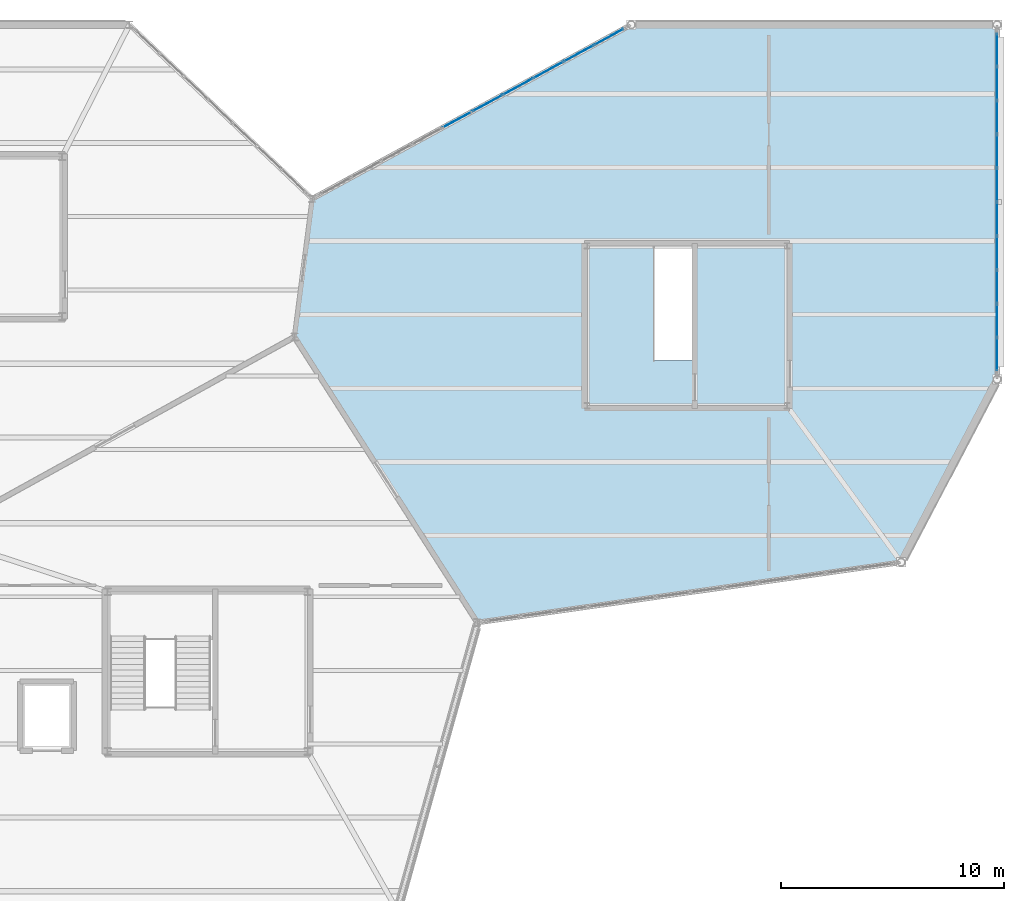
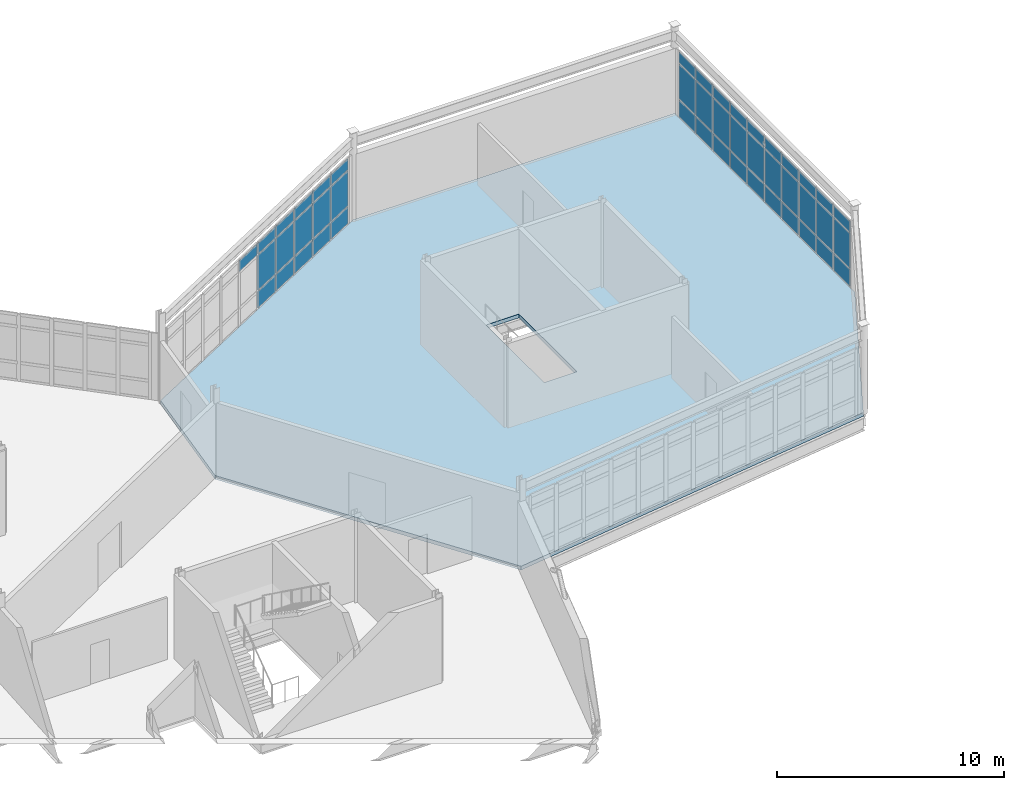
# One storey, part 83 of 114: 46 plates, 1 slab, 2 elements without a shape of their own.
"""IFC4 building model written with IfcOpenShell, lengths in metres."""

from ifc_helpers import new_model, si_unit, direction, frame, origin, origin_2d, place, context, subcontext, project, spatial, polyline, rectangle, outline, extrude, material, layer, layer_set, type_object, element, aggregate, save


model = new_model("IFC4")

# Units and contexts
model_context = context("Model", 3, precision=1e-05, world=origin(), true_north=direction((0.0, 1.0)))
body_context = subcontext(model_context, "Body", "Model", "MODEL_VIEW")
ifc_project = project(units=[si_unit("LENGTHUNIT", "METRE"), si_unit("AREAUNIT", "SQUARE_METRE"), si_unit("VOLUMEUNIT", "CUBIC_METRE"), si_unit("PLANEANGLEUNIT", "RADIAN"), si_unit("MASSUNIT", "GRAM", prefix="KILO")], contexts=[model_context])

# Site, building, storey
site_placement = place(None, origin())
site = spatial("IfcSite", under=ifc_project, at=site_placement, CompositionType="ELEMENT")
building_placement = place(site_placement, origin())
building = spatial("IfcBuilding", under=site, at=building_placement, Name="Tameran Prism Museum", CompositionType="ELEMENT")
storey_placement = place(building_placement, frame((0.0, 0.0, 10.199951171875)))
storey = spatial("IfcBuildingStorey", under=building, at=storey_placement, Name="L02", CompositionType="ELEMENT", Elevation=10.199951171875)

# Curtain wall, plates
ifc_material_1 = material(Name="Anodised Aluminium 6063-T6 and Cyclone Solar Glass", Category="aluminium")
curtain_wall_type_1 = type_object("IfcCurtainWallType", Name="CW-FAC-1520x362", PredefinedType="USERDEFINED", material=ifc_material_1)
curtain_wall_1_placement = place(storey_placement, origin())
curtain_wall_1 = element("IfcCurtainWall", 1, at=curtain_wall_1_placement, inside=storey, type_object=curtain_wall_type_1, Name="Unitised Curtain Wall CW-103", ObjectType="UNITISED CURTAIN WALL", PredefinedType="USERDEFINED")
ifc_material_2 = material(Name="Low-E Laminated Solar Glass", Category="glass")
ifc_layer_1 = layer(ifc_material_2, 0.028076171875)
ifc_layer_set_1 = layer_set([ifc_layer_1])
plate_type_1 = type_object("IfcPlateType", Name="CW-PNL-G28", PredefinedType="CURTAIN_PANEL", material=ifc_layer_set_1)
plate_1_placement = place(storey_placement, frame((166.39990234375, 110.873779296875, 0.06494140625), z_axis=(0.0, 0.0, 1.0), x_axis=(0.0, -1.0, 0.0)))
plate_1 = element("IfcPlate", 2, at=plate_1_placement, type_object=plate_type_1, Name="CW-103 panel 1.1", PredefinedType="CURTAIN_PANEL", context=body_context, shape_type="SweptSolid", body=[
    extrude(rectangle(XDim=1.422607421875, YDim=0.028076171875, at=origin_2d()), origin(), (0.0, 0.0, 1.0), 0.902587890625),
])
plate_2_placement = place(storey_placement, frame((166.39990234375, 110.873779296875, 1.032470703125), z_axis=(0.0, 0.0, 1.0), x_axis=(0.0, -1.0, 0.0)))
plate_2 = element("IfcPlate", 3, at=plate_2_placement, type_object=plate_type_1, Name="CW-103 panel 1.2", PredefinedType="CURTAIN_PANEL", context=body_context, shape_type="SweptSolid", body=[
    extrude(rectangle(XDim=1.422607421875, YDim=0.028076171875, at=origin_2d()), origin(), (0.0, 0.0, 1.0), 1.875),
])
plate_3_placement = place(storey_placement, frame((166.39990234375, 110.873779296875, 2.97265625), z_axis=(0.0, 0.0, 1.0), x_axis=(0.0, -1.0, 0.0)))
plate_3 = element("IfcPlate", 4, at=plate_3_placement, type_object=plate_type_1, Name="CW-103 panel 1.3", PredefinedType="CURTAIN_PANEL", context=body_context, shape_type="SweptSolid", body=[
    extrude(rectangle(XDim=1.422607421875, YDim=0.028076171875, at=origin_2d()), origin(), (0.0, 0.0, 1.0), 0.58251953125),
])
plate_4_placement = place(storey_placement, frame((166.39990234375, 109.3701171875, 0.06494140625), z_axis=(0.0, 0.0, 1.0), x_axis=(0.0, -1.0, 0.0)))
plate_4 = element("IfcPlate", 5, at=plate_4_placement, type_object=plate_type_1, Name="CW-103 panel 2.1", PredefinedType="CURTAIN_PANEL", context=body_context, shape_type="SweptSolid", body=[
    extrude(rectangle(XDim=1.455078125, YDim=0.028076171875, at=origin_2d()), origin(), (0.0, 0.0, 1.0), 0.902587890625),
])
plate_5_placement = place(storey_placement, frame((166.39990234375, 109.3701171875, 1.032470703125), z_axis=(0.0, 0.0, 1.0), x_axis=(0.0, -1.0, 0.0)))
plate_5 = element("IfcPlate", 6, at=plate_5_placement, type_object=plate_type_1, Name="CW-103 panel 2.2", PredefinedType="CURTAIN_PANEL", context=body_context, shape_type="SweptSolid", body=[
    extrude(rectangle(XDim=1.455078125, YDim=0.028076171875, at=origin_2d()), origin(), (0.0, 0.0, 1.0), 1.875),
])
plate_6_placement = place(storey_placement, frame((166.39990234375, 109.3701171875, 2.97265625), z_axis=(0.0, 0.0, 1.0), x_axis=(0.0, -1.0, 0.0)))
plate_6 = element("IfcPlate", 7, at=plate_6_placement, type_object=plate_type_1, Name="CW-103 panel 2.3", PredefinedType="CURTAIN_PANEL", context=body_context, shape_type="SweptSolid", body=[
    extrude(rectangle(XDim=1.455078125, YDim=0.028076171875, at=origin_2d()), origin(), (0.0, 0.0, 1.0), 0.58251953125),
])
plate_7_placement = place(storey_placement, frame((166.39990234375, 107.85009765625, 0.06494140625), z_axis=(0.0, 0.0, 1.0), x_axis=(0.0, -1.0, 0.0)))
plate_7 = element("IfcPlate", 8, at=plate_7_placement, type_object=plate_type_1, Name="CW-103 panel 3.1", PredefinedType="CURTAIN_PANEL", context=body_context, shape_type="SweptSolid", body=[
    extrude(rectangle(XDim=1.455078125, YDim=0.028076171875, at=origin_2d()), origin(), (0.0, 0.0, 1.0), 0.902587890625),
])
plate_8_placement = place(storey_placement, frame((166.39990234375, 107.85009765625, 1.032470703125), z_axis=(0.0, 0.0, 1.0), x_axis=(0.0, -1.0, 0.0)))
plate_8 = element("IfcPlate", 9, at=plate_8_placement, type_object=plate_type_1, Name="CW-103 panel 3.2", PredefinedType="CURTAIN_PANEL", context=body_context, shape_type="SweptSolid", body=[
    extrude(rectangle(XDim=1.455078125, YDim=0.028076171875, at=origin_2d()), origin(), (0.0, 0.0, 1.0), 1.875),
])
plate_9_placement = place(storey_placement, frame((166.39990234375, 107.85009765625, 2.97265625), z_axis=(0.0, 0.0, 1.0), x_axis=(0.0, -1.0, 0.0)))
plate_9 = element("IfcPlate", 10, at=plate_9_placement, type_object=plate_type_1, Name="CW-103 panel 3.3", PredefinedType="CURTAIN_PANEL", context=body_context, shape_type="SweptSolid", body=[
    extrude(rectangle(XDim=1.455078125, YDim=0.028076171875, at=origin_2d()), origin(), (0.0, 0.0, 1.0), 0.58251953125),
])
plate_10_placement = place(storey_placement, frame((166.39990234375, 106.330078125, 0.06494140625), z_axis=(0.0, 0.0, 1.0), x_axis=(0.0, -1.0, 0.0)))
plate_10 = element("IfcPlate", 11, at=plate_10_placement, type_object=plate_type_1, Name="CW-103 panel 4.1", PredefinedType="CURTAIN_PANEL", context=body_context, shape_type="SweptSolid", body=[
    extrude(rectangle(XDim=1.455078125, YDim=0.028076171875, at=origin_2d()), origin(), (0.0, 0.0, 1.0), 0.902587890625),
])
plate_11_placement = place(storey_placement, frame((166.39990234375, 106.330078125, 1.032470703125), z_axis=(0.0, 0.0, 1.0), x_axis=(0.0, -1.0, 0.0)))
plate_11 = element("IfcPlate", 12, at=plate_11_placement, type_object=plate_type_1, Name="CW-103 panel 4.2", PredefinedType="CURTAIN_PANEL", context=body_context, shape_type="SweptSolid", body=[
    extrude(rectangle(XDim=1.455078125, YDim=0.028076171875, at=origin_2d()), origin(), (0.0, 0.0, 1.0), 1.875),
])
plate_12_placement = place(storey_placement, frame((166.39990234375, 106.330078125, 2.97265625), z_axis=(0.0, 0.0, 1.0), x_axis=(0.0, -1.0, 0.0)))
plate_12 = element("IfcPlate", 13, at=plate_12_placement, type_object=plate_type_1, Name="CW-103 panel 4.3", PredefinedType="CURTAIN_PANEL", context=body_context, shape_type="SweptSolid", body=[
    extrude(rectangle(XDim=1.455078125, YDim=0.028076171875, at=origin_2d()), origin(), (0.0, 0.0, 1.0), 0.58251953125),
])
plate_13_placement = place(storey_placement, frame((166.39990234375, 104.81005859375, 0.06494140625), z_axis=(0.0, 0.0, 1.0), x_axis=(0.0, -1.0, 0.0)))
plate_13 = element("IfcPlate", 14, at=plate_13_placement, type_object=plate_type_1, Name="CW-103 panel 5.1", PredefinedType="CURTAIN_PANEL", context=body_context, shape_type="SweptSolid", body=[
    extrude(rectangle(XDim=1.455078125, YDim=0.028076171875, at=origin_2d()), origin(), (0.0, 0.0, 1.0), 0.902587890625),
])
plate_14_placement = place(storey_placement, frame((166.39990234375, 104.81005859375, 1.032470703125), z_axis=(0.0, 0.0, 1.0), x_axis=(0.0, -1.0, 0.0)))
plate_14 = element("IfcPlate", 15, at=plate_14_placement, type_object=plate_type_1, Name="CW-103 panel 5.2", PredefinedType="CURTAIN_PANEL", context=body_context, shape_type="SweptSolid", body=[
    extrude(rectangle(XDim=1.455078125, YDim=0.028076171875, at=origin_2d()), origin(), (0.0, 0.0, 1.0), 1.875),
])
plate_15_placement = place(storey_placement, frame((166.39990234375, 104.81005859375, 2.97265625), z_axis=(0.0, 0.0, 1.0), x_axis=(0.0, -1.0, 0.0)))
plate_15 = element("IfcPlate", 16, at=plate_15_placement, type_object=plate_type_1, Name="CW-103 panel 5.3", PredefinedType="CURTAIN_PANEL", context=body_context, shape_type="SweptSolid", body=[
    extrude(rectangle(XDim=1.455078125, YDim=0.028076171875, at=origin_2d()), origin(), (0.0, 0.0, 1.0), 0.58251953125),
])
plate_16_placement = place(storey_placement, frame((166.39990234375, 103.2900390625, 0.06494140625), z_axis=(0.0, 0.0, 1.0), x_axis=(0.0, -1.0, 0.0)))
plate_16 = element("IfcPlate", 17, at=plate_16_placement, type_object=plate_type_1, Name="CW-103 panel 6.1", PredefinedType="CURTAIN_PANEL", context=body_context, shape_type="SweptSolid", body=[
    extrude(rectangle(XDim=1.455078125, YDim=0.028076171875, at=origin_2d()), origin(), (0.0, 0.0, 1.0), 0.902587890625),
])
plate_17_placement = place(storey_placement, frame((166.39990234375, 103.2900390625, 1.032470703125), z_axis=(0.0, 0.0, 1.0), x_axis=(0.0, -1.0, 0.0)))
plate_17 = element("IfcPlate", 18, at=plate_17_placement, type_object=plate_type_1, Name="CW-103 panel 6.2", PredefinedType="CURTAIN_PANEL", context=body_context, shape_type="SweptSolid", body=[
    extrude(rectangle(XDim=1.455078125, YDim=0.028076171875, at=origin_2d()), origin(), (0.0, 0.0, 1.0), 1.875),
])
plate_18_placement = place(storey_placement, frame((166.39990234375, 103.2900390625, 2.97265625), z_axis=(0.0, 0.0, 1.0), x_axis=(0.0, -1.0, 0.0)))
plate_18 = element("IfcPlate", 19, at=plate_18_placement, type_object=plate_type_1, Name="CW-103 panel 6.3", PredefinedType="CURTAIN_PANEL", context=body_context, shape_type="SweptSolid", body=[
    extrude(rectangle(XDim=1.455078125, YDim=0.028076171875, at=origin_2d()), origin(), (0.0, 0.0, 1.0), 0.58251953125),
])
plate_19_placement = place(storey_placement, frame((166.39990234375, 101.77001953125, 0.06494140625), z_axis=(0.0, 0.0, 1.0), x_axis=(0.0, -1.0, 0.0)))
plate_19 = element("IfcPlate", 20, at=plate_19_placement, type_object=plate_type_1, Name="CW-103 panel 7.1", PredefinedType="CURTAIN_PANEL", context=body_context, shape_type="SweptSolid", body=[
    extrude(rectangle(XDim=1.455078125, YDim=0.028076171875, at=origin_2d()), origin(), (0.0, 0.0, 1.0), 0.902587890625),
])
plate_20_placement = place(storey_placement, frame((166.39990234375, 101.77001953125, 1.032470703125), z_axis=(0.0, 0.0, 1.0), x_axis=(0.0, -1.0, 0.0)))
plate_20 = element("IfcPlate", 21, at=plate_20_placement, type_object=plate_type_1, Name="CW-103 panel 7.2", PredefinedType="CURTAIN_PANEL", context=body_context, shape_type="SweptSolid", body=[
    extrude(rectangle(XDim=1.455078125, YDim=0.028076171875, at=origin_2d()), origin(), (0.0, 0.0, 1.0), 1.875),
])
plate_21_placement = place(storey_placement, frame((166.39990234375, 101.77001953125, 2.97265625), z_axis=(0.0, 0.0, 1.0), x_axis=(0.0, -1.0, 0.0)))
plate_21 = element("IfcPlate", 22, at=plate_21_placement, type_object=plate_type_1, Name="CW-103 panel 7.3", PredefinedType="CURTAIN_PANEL", context=body_context, shape_type="SweptSolid", body=[
    extrude(rectangle(XDim=1.455078125, YDim=0.028076171875, at=origin_2d()), origin(), (0.0, 0.0, 1.0), 0.58251953125),
])
plate_22_placement = place(storey_placement, frame((166.39990234375, 100.25, 0.06494140625), z_axis=(0.0, 0.0, 1.0), x_axis=(0.0, -1.0, 0.0)))
plate_22 = element("IfcPlate", 23, at=plate_22_placement, type_object=plate_type_1, Name="CW-103 panel 8.1", PredefinedType="CURTAIN_PANEL", context=body_context, shape_type="SweptSolid", body=[
    extrude(rectangle(XDim=1.455078125, YDim=0.028076171875, at=origin_2d()), origin(), (0.0, 0.0, 1.0), 0.902587890625),
])
plate_23_placement = place(storey_placement, frame((166.39990234375, 100.25, 1.032470703125), z_axis=(0.0, 0.0, 1.0), x_axis=(0.0, -1.0, 0.0)))
plate_23 = element("IfcPlate", 24, at=plate_23_placement, type_object=plate_type_1, Name="CW-103 panel 8.2", PredefinedType="CURTAIN_PANEL", context=body_context, shape_type="SweptSolid", body=[
    extrude(rectangle(XDim=1.455078125, YDim=0.028076171875, at=origin_2d()), origin(), (0.0, 0.0, 1.0), 1.875),
])
plate_24_placement = place(storey_placement, frame((166.39990234375, 100.25, 2.97265625), z_axis=(0.0, 0.0, 1.0), x_axis=(0.0, -1.0, 0.0)))
plate_24 = element("IfcPlate", 25, at=plate_24_placement, type_object=plate_type_1, Name="CW-103 panel 8.3", PredefinedType="CURTAIN_PANEL", context=body_context, shape_type="SweptSolid", body=[
    extrude(rectangle(XDim=1.455078125, YDim=0.028076171875, at=origin_2d()), origin(), (0.0, 0.0, 1.0), 0.58251953125),
])
plate_25_placement = place(storey_placement, frame((166.39990234375, 98.72998046875, 0.06494140625), z_axis=(0.0, 0.0, 1.0), x_axis=(0.0, -1.0, 0.0)))
plate_25 = element("IfcPlate", 26, at=plate_25_placement, type_object=plate_type_1, Name="CW-103 panel 9.1", PredefinedType="CURTAIN_PANEL", context=body_context, shape_type="SweptSolid", body=[
    extrude(rectangle(XDim=1.455078125, YDim=0.028076171875, at=origin_2d()), origin(), (0.0, 0.0, 1.0), 0.902587890625),
])
plate_26_placement = place(storey_placement, frame((166.39990234375, 98.72998046875, 1.032470703125), z_axis=(0.0, 0.0, 1.0), x_axis=(0.0, -1.0, 0.0)))
plate_26 = element("IfcPlate", 27, at=plate_26_placement, type_object=plate_type_1, Name="CW-103 panel 9.2", PredefinedType="CURTAIN_PANEL", context=body_context, shape_type="SweptSolid", body=[
    extrude(rectangle(XDim=1.455078125, YDim=0.028076171875, at=origin_2d()), origin(), (0.0, 0.0, 1.0), 1.875),
])
plate_27_placement = place(storey_placement, frame((166.39990234375, 98.72998046875, 2.97265625), z_axis=(0.0, 0.0, 1.0), x_axis=(0.0, -1.0, 0.0)))
plate_27 = element("IfcPlate", 28, at=plate_27_placement, type_object=plate_type_1, Name="CW-103 panel 9.3", PredefinedType="CURTAIN_PANEL", context=body_context, shape_type="SweptSolid", body=[
    extrude(rectangle(XDim=1.455078125, YDim=0.028076171875, at=origin_2d()), origin(), (0.0, 0.0, 1.0), 0.58251953125),
])
plate_28_placement = place(storey_placement, frame((166.39990234375, 97.226318359375, 0.06494140625), z_axis=(0.0, 0.0, 1.0), x_axis=(0.0, -1.0, 0.0)))
plate_28 = element("IfcPlate", 29, at=plate_28_placement, type_object=plate_type_1, Name="CW-103 panel 10.1", PredefinedType="CURTAIN_PANEL", context=body_context, shape_type="SweptSolid", body=[
    extrude(rectangle(XDim=1.422607421875, YDim=0.028076171875, at=origin_2d()), origin(), (0.0, 0.0, 1.0), 0.902587890625),
])
plate_29_placement = place(storey_placement, frame((166.39990234375, 97.226318359375, 1.032470703125), z_axis=(0.0, 0.0, 1.0), x_axis=(0.0, -1.0, 0.0)))
plate_29 = element("IfcPlate", 30, at=plate_29_placement, type_object=plate_type_1, Name="CW-103 panel 10.2", PredefinedType="CURTAIN_PANEL", context=body_context, shape_type="SweptSolid", body=[
    extrude(rectangle(XDim=1.422607421875, YDim=0.028076171875, at=origin_2d()), origin(), (0.0, 0.0, 1.0), 1.875),
])
plate_30_placement = place(storey_placement, frame((166.39990234375, 97.226318359375, 2.97265625), z_axis=(0.0, 0.0, 1.0), x_axis=(0.0, -1.0, 0.0)))
plate_30 = element("IfcPlate", 31, at=plate_30_placement, type_object=plate_type_1, Name="CW-103 panel 10.3", PredefinedType="CURTAIN_PANEL", context=body_context, shape_type="SweptSolid", body=[
    extrude(rectangle(XDim=1.422607421875, YDim=0.028076171875, at=origin_2d()), origin(), (0.0, 0.0, 1.0), 0.58251953125),
])
aggregate(curtain_wall_1, [plate_1, plate_2, plate_3, plate_4, plate_5, plate_6, plate_7, plate_8, plate_9, plate_10, plate_11, plate_12, plate_13, plate_14, plate_15, plate_16, plate_17, plate_18, plate_19, plate_20, plate_21, plate_22, plate_23, plate_24, plate_25, plate_26, plate_27, plate_28, plate_29, plate_30])

ifc_material_3 = material(Name="Anodised Aluminium 6063-T6 and Cyclone Solar Glass", Category="aluminium")
curtain_wall_type_2 = type_object("IfcCurtainWallType", Name="CW-FAC-1553x362", PredefinedType="USERDEFINED", material=ifc_material_3)
curtain_wall_2_placement = place(storey_placement, origin())
curtain_wall_2 = element("IfcCurtainWall", 32, at=curtain_wall_2_placement, inside=storey, type_object=curtain_wall_type_2, Name="Unitised Curtain Wall CW-104", ObjectType="UNITISED CURTAIN WALL", PredefinedType="USERDEFINED")
ifc_material_4 = material(Name="Cyclone Laminated Solar Glass", Category="glass")
ifc_layer_2 = layer(ifc_material_4, 0.031982421875)
ifc_layer_set_2 = layer_set([ifc_layer_2])
plate_type_2 = type_object("IfcPlateType", Name="CW-PNL-G32", PredefinedType="CURTAIN_PANEL", material=ifc_layer_set_2)
plate_31_placement = place(storey_placement, frame((142.19482421875, 107.74267578125, 2.97509765625), z_axis=(0.0, 0.0, 1.0), x_axis=(0.877927564486, 0.478793474805, 0.0)))
plate_31 = element("IfcPlate", 33, at=plate_31_placement, type_object=plate_type_2, Name="CW-104 panel 5.3", PredefinedType="CURTAIN_PANEL", context=body_context, shape_type="SweptSolid", body=[
    extrude(rectangle(XDim=1.48291015625, YDim=0.031982421875, at=origin_2d()), origin(), (0.0, 0.0, 1.0), 0.574951171875),
])
plate_32_placement = place(storey_placement, frame((143.55810546875, 108.486328125, 0.070068359375), z_axis=(0.0, 0.0, 1.0), x_axis=(0.877927564486, 0.478793474805, 0.0)))
plate_32 = element("IfcPlate", 34, at=plate_32_placement, type_object=plate_type_2, Name="CW-104 panel 6.1", PredefinedType="CURTAIN_PANEL", context=body_context, shape_type="SweptSolid", body=[
    extrude(rectangle(XDim=1.48291015625, YDim=0.031982421875, at=origin_2d()), origin(), (0.0, 0.0, 1.0), 0.89501953125),
])
plate_33_placement = place(storey_placement, frame((143.55810546875, 108.486328125, 1.034912109375), z_axis=(0.0, 0.0, 1.0), x_axis=(0.877927564486, 0.478793474805, 0.0)))
plate_33 = element("IfcPlate", 35, at=plate_33_placement, type_object=plate_type_2, Name="CW-104 panel 6.2", PredefinedType="CURTAIN_PANEL", context=body_context, shape_type="SweptSolid", body=[
    extrude(rectangle(XDim=1.48291015625, YDim=0.031982421875, at=origin_2d()), origin(), (0.0, 0.0, 1.0), 1.8701171875),
])
plate_34_placement = place(storey_placement, frame((143.55810546875, 108.486328125, 2.97509765625), z_axis=(0.0, 0.0, 1.0), x_axis=(0.877927564486, 0.478793474805, 0.0)))
plate_34 = element("IfcPlate", 36, at=plate_34_placement, type_object=plate_type_2, Name="CW-104 panel 6.3", PredefinedType="CURTAIN_PANEL", context=body_context, shape_type="SweptSolid", body=[
    extrude(rectangle(XDim=1.48291015625, YDim=0.031982421875, at=origin_2d()), origin(), (0.0, 0.0, 1.0), 0.574951171875),
])
plate_35_placement = place(storey_placement, frame((144.92138671875, 109.229736328125, 0.070068359375), z_axis=(0.0, 0.0, 1.0), x_axis=(0.877927564486, 0.478793474805, 0.0)))
plate_35 = element("IfcPlate", 37, at=plate_35_placement, type_object=plate_type_2, Name="CW-104 panel 7.1", PredefinedType="CURTAIN_PANEL", context=body_context, shape_type="SweptSolid", body=[
    extrude(rectangle(XDim=1.48291015625, YDim=0.031982421875, at=origin_2d()), origin(), (0.0, 0.0, 1.0), 0.89501953125),
])
plate_36_placement = place(storey_placement, frame((144.92138671875, 109.229736328125, 1.034912109375), z_axis=(0.0, 0.0, 1.0), x_axis=(0.877927564486, 0.478793474805, 0.0)))
plate_36 = element("IfcPlate", 38, at=plate_36_placement, type_object=plate_type_2, Name="CW-104 panel 7.2", PredefinedType="CURTAIN_PANEL", context=body_context, shape_type="SweptSolid", body=[
    extrude(rectangle(XDim=1.48291015625, YDim=0.031982421875, at=origin_2d()), origin(), (0.0, 0.0, 1.0), 1.8701171875),
])
plate_37_placement = place(storey_placement, frame((144.92138671875, 109.229736328125, 2.97509765625), z_axis=(0.0, 0.0, 1.0), x_axis=(0.877927564486, 0.478793474805, 0.0)))
plate_37 = element("IfcPlate", 39, at=plate_37_placement, type_object=plate_type_2, Name="CW-104 panel 7.3", PredefinedType="CURTAIN_PANEL", context=body_context, shape_type="SweptSolid", body=[
    extrude(rectangle(XDim=1.48291015625, YDim=0.031982421875, at=origin_2d()), origin(), (0.0, 0.0, 1.0), 0.574951171875),
])
plate_38_placement = place(storey_placement, frame((146.28466796875, 109.97314453125, 0.070068359375), z_axis=(0.0, 0.0, 1.0), x_axis=(0.877927564486, 0.478793474805, 0.0)))
plate_38 = element("IfcPlate", 40, at=plate_38_placement, type_object=plate_type_2, Name="CW-104 panel 8.1", PredefinedType="CURTAIN_PANEL", context=body_context, shape_type="SweptSolid", body=[
    extrude(rectangle(XDim=1.48291015625, YDim=0.031982421875, at=origin_2d()), origin(), (0.0, 0.0, 1.0), 0.89501953125),
])
plate_39_placement = place(storey_placement, frame((146.28466796875, 109.97314453125, 1.034912109375), z_axis=(0.0, 0.0, 1.0), x_axis=(0.877927564486, 0.478793474805, 0.0)))
plate_39 = element("IfcPlate", 41, at=plate_39_placement, type_object=plate_type_2, Name="CW-104 panel 8.2", PredefinedType="CURTAIN_PANEL", context=body_context, shape_type="SweptSolid", body=[
    extrude(rectangle(XDim=1.48291015625, YDim=0.031982421875, at=origin_2d()), origin(), (0.0, 0.0, 1.0), 1.8701171875),
])
plate_40_placement = place(storey_placement, frame((146.28466796875, 109.97314453125, 2.97509765625), z_axis=(0.0, 0.0, 1.0), x_axis=(0.877927564486, 0.478793474805, 0.0)))
plate_40 = element("IfcPlate", 42, at=plate_40_placement, type_object=plate_type_2, Name="CW-104 panel 8.3", PredefinedType="CURTAIN_PANEL", context=body_context, shape_type="SweptSolid", body=[
    extrude(rectangle(XDim=1.48291015625, YDim=0.031982421875, at=origin_2d()), origin(), (0.0, 0.0, 1.0), 0.574951171875),
])
plate_41_placement = place(storey_placement, frame((147.64794921875, 110.716796875, 0.070068359375), z_axis=(0.0, 0.0, 1.0), x_axis=(0.877927564486, 0.478793474805, 0.0)))
plate_41 = element("IfcPlate", 43, at=plate_41_placement, type_object=plate_type_2, Name="CW-104 panel 9.1", PredefinedType="CURTAIN_PANEL", context=body_context, shape_type="SweptSolid", body=[
    extrude(rectangle(XDim=1.48291015625, YDim=0.031982421875, at=origin_2d()), origin(), (0.0, 0.0, 1.0), 0.89501953125),
])
plate_42_placement = place(storey_placement, frame((147.64794921875, 110.716796875, 1.034912109375), z_axis=(0.0, 0.0, 1.0), x_axis=(0.877927564486, 0.478793474805, 0.0)))
plate_42 = element("IfcPlate", 44, at=plate_42_placement, type_object=plate_type_2, Name="CW-104 panel 9.2", PredefinedType="CURTAIN_PANEL", context=body_context, shape_type="SweptSolid", body=[
    extrude(rectangle(XDim=1.48291015625, YDim=0.031982421875, at=origin_2d()), origin(), (0.0, 0.0, 1.0), 1.8701171875),
])
plate_43_placement = place(storey_placement, frame((147.64794921875, 110.716796875, 2.97509765625), z_axis=(0.0, 0.0, 1.0), x_axis=(0.877927564486, 0.478793474805, 0.0)))
plate_43 = element("IfcPlate", 45, at=plate_43_placement, type_object=plate_type_2, Name="CW-104 panel 9.3", PredefinedType="CURTAIN_PANEL", context=body_context, shape_type="SweptSolid", body=[
    extrude(rectangle(XDim=1.48291015625, YDim=0.031982421875, at=origin_2d()), origin(), (0.0, 0.0, 1.0), 0.574951171875),
])
plate_44_placement = place(storey_placement, frame((148.99609375, 111.451904296875, 0.070068359375), z_axis=(0.0, 0.0, 1.0), x_axis=(0.877927564486, 0.478793474805, 0.0)))
plate_44 = element("IfcPlate", 46, at=plate_44_placement, type_object=plate_type_2, Name="CW-104 panel 10.1", PredefinedType="CURTAIN_PANEL", context=body_context, shape_type="SweptSolid", body=[
    extrude(rectangle(XDim=1.44775390625, YDim=0.031982421875, at=origin_2d()), origin(), (0.0, 0.0, 1.0), 0.89501953125),
])
plate_45_placement = place(storey_placement, frame((148.99609375, 111.451904296875, 1.034912109375), z_axis=(0.0, 0.0, 1.0), x_axis=(0.877927564486, 0.478793474805, 0.0)))
plate_45 = element("IfcPlate", 47, at=plate_45_placement, type_object=plate_type_2, Name="CW-104 panel 10.2", PredefinedType="CURTAIN_PANEL", context=body_context, shape_type="SweptSolid", body=[
    extrude(rectangle(XDim=1.44775390625, YDim=0.031982421875, at=origin_2d()), origin(), (0.0, 0.0, 1.0), 1.8701171875),
])
plate_46_placement = place(storey_placement, frame((148.99609375, 111.451904296875, 2.97509765625), z_axis=(0.0, 0.0, 1.0), x_axis=(0.877927564486, 0.478793474805, 0.0)))
plate_46 = element("IfcPlate", 48, at=plate_46_placement, type_object=plate_type_2, Name="CW-104 panel 10.3", PredefinedType="CURTAIN_PANEL", context=body_context, shape_type="SweptSolid", body=[
    extrude(rectangle(XDim=1.44775390625, YDim=0.031982421875, at=origin_2d()), origin(), (0.0, 0.0, 1.0), 0.574951171875),
])
aggregate(curtain_wall_2, [plate_31, plate_32, plate_33, plate_34, plate_35, plate_36, plate_37, plate_38, plate_39, plate_40, plate_41, plate_42, plate_43, plate_44, plate_45, plate_46])

# Slab
ifc_material_5 = material(Name="Concrete N32 (32 MPa)", Category="concrete")
ifc_layer_3 = layer(ifc_material_5, 0.199951171875)
ifc_layer_set_3 = layer_set([ifc_layer_3])
slab_type = type_object("IfcSlabType", Name="SL-FLR-200", PredefinedType="FLOOR", material=ifc_layer_set_3)
slab_placement = place(storey_placement, frame((0.0, 0.0, -0.199951171875)))
element("IfcSlab", 49, at=slab_placement, inside=storey, type_object=slab_type, Name="Floor Slab FS-P04-L02", PredefinedType="FLOOR", context=body_context, shape_type="SweptSolid", body=[
    extrude(outline(polyline([(135.699951171875, 104.199951171875), (150.0, 112.0), (166.39990234375, 112.0), (166.39990234375, 96.10009765625), (162.10009765625, 87.89990234375), (143.10009765625, 85.199951171875), (134.89990234375, 98.0), (135.699951171875, 104.199951171875)]), holes=[polyline([(152.719970703125, 102.050048828125), (151.050048828125, 102.050048828125), (151.050048828125, 96.93994140625), (152.719970703125, 96.93994140625), (152.719970703125, 102.050048828125)])]), origin(), (0.0, 0.0, 1.0), 0.199951171875),
])

save(model, "model.ifc")
